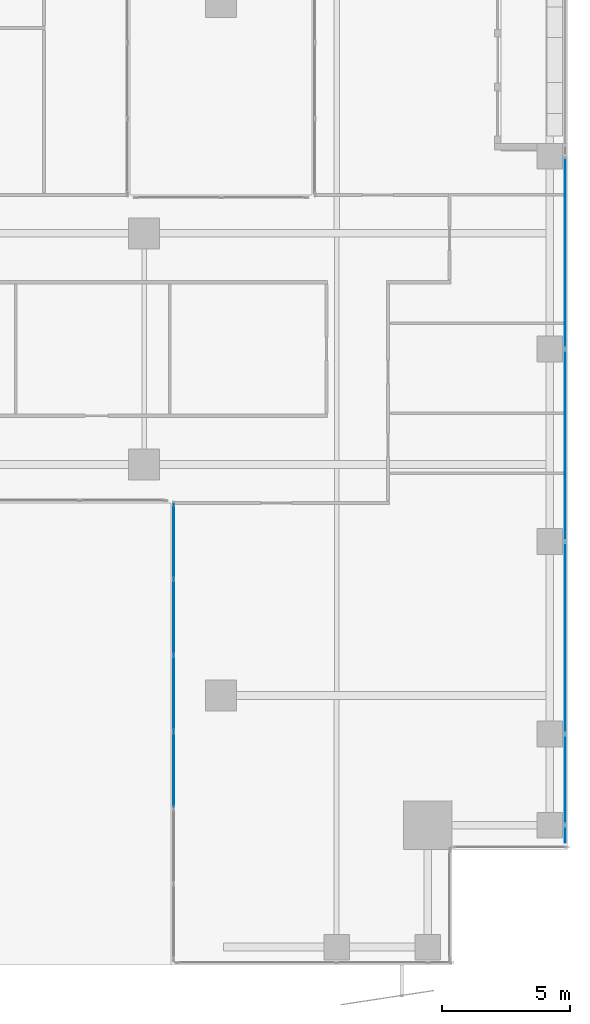
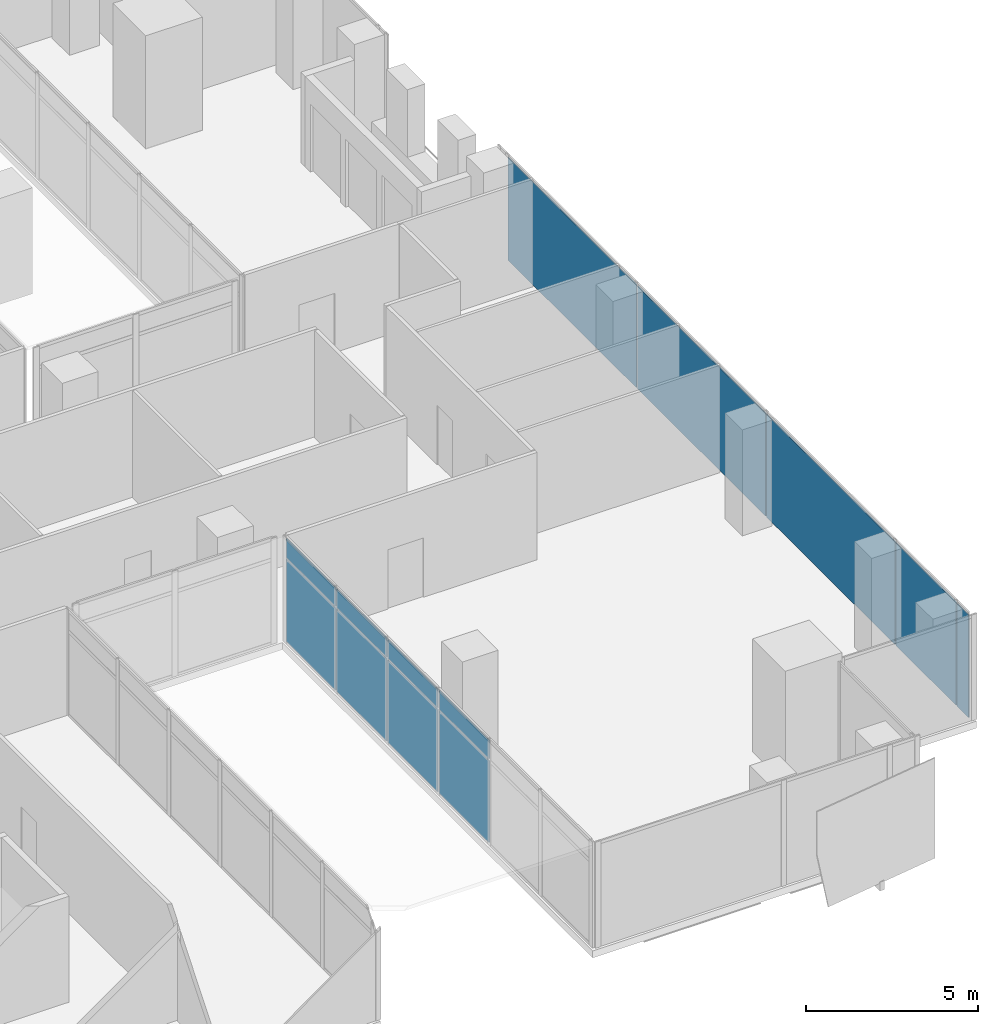
# One storey, part 31 of 40: 13 plates, 2 elements without a shape of their own.
"""IFC4 building model written with IfcOpenShell, lengths in metres."""

from ifc_helpers import new_model, si_unit, direction, frame, origin, origin_2d, place, context, subcontext, project, spatial, rectangle, extrude, source, transform, mapped, material, layer, layer_set, type_object, element, aggregate, save


model = new_model("IFC4")

# Units and contexts
model_context = context("Model", 3, precision=1e-05, world=origin(), true_north=direction((0.0, 1.0)))
body_context = subcontext(model_context, "Body", "Model", "MODEL_VIEW")
ifc_project = project(units=[si_unit("LENGTHUNIT", "METRE"), si_unit("AREAUNIT", "SQUARE_METRE"), si_unit("VOLUMEUNIT", "CUBIC_METRE"), si_unit("PLANEANGLEUNIT", "RADIAN"), si_unit("MASSUNIT", "GRAM", prefix="KILO")], contexts=[model_context])

# Site, building, storey
site_placement = place(None, origin())
site = spatial("IfcSite", under=ifc_project, at=site_placement, CompositionType="ELEMENT")
building_placement = place(site_placement, origin())
building = spatial("IfcBuilding", under=site, at=building_placement, Name="Khomas Fold Tower", CompositionType="ELEMENT")
storey_placement = place(building_placement, frame((0.0, 0.0, 184.699951171875)))
storey = spatial("IfcBuildingStorey", under=building, at=storey_placement, Name="L40", CompositionType="ELEMENT", Elevation=184.699951171875)

# Curtain wall, plates
ifc_material_1 = material(Name="Aluminium framed double glazing", Category="aluminium")
curtain_wall_type_1 = type_object("IfcCurtainWallType", Name="SK-Unitised clear-glass wall, office floors CW2", PredefinedType="NOTDEFINED", material=ifc_material_1)
curtain_wall_1_placement = place(storey_placement, origin())
curtain_wall_1 = element("IfcCurtainWall", 1, at=curtain_wall_1_placement, inside=storey, type_object=curtain_wall_type_1, Name="CW2 run L40 08-0", PredefinedType="NOTDEFINED")
ifc_material_2 = material(Name="Clear double glazed unit")
ifc_layer_1 = layer(ifc_material_2, 0.030029296875)
ifc_layer_set_1 = layer_set([ifc_layer_1], Name="Clear double glazed unit")
plate_type_1 = type_object("IfcPlateType", Name="SK-Unitised clear-glass wall, office floors glass panel CW2-P", PredefinedType="CURTAIN_PANEL", material=ifc_layer_set_1)
shared_shape_1 = source(origin(), body_context, "Body", "SweptSolid", [
    extrude(rectangle(XDim=0.659912109375, YDim=0.030029296875, at=origin_2d()), origin(), (0.0, 0.0, 1.0), 3.639892578125),
])
plate_1_placement = place(storey_placement, frame((50.89990234375, 8.090087890625, 0.0), z_axis=(0.0, 0.0, 1.0), x_axis=(0.0, 1.0, 0.0)))
plate_1 = element("IfcPlate", 2, at=plate_1_placement, type_object=plate_type_1, Name="CW2 glass panel 1", PredefinedType="CURTAIN_PANEL", context=body_context, shape_type="MappedRepresentation", body=[
    mapped(shared_shape_1, transform((0.0, 0.0, 0.0))),
])
shared_shape_2 = source(origin(), body_context, "Body", "SweptSolid", [
    extrude(rectangle(XDim=3.489990234375, YDim=0.030029296875, at=origin_2d()), origin(), (0.0, 0.0, 1.0), 3.639892578125),
])
plate_2_placement = place(storey_placement, frame((50.89990234375, 10.22509765625, 0.0), z_axis=(0.0, 0.0, 1.0), x_axis=(0.0, 1.0, 0.0)))
plate_2 = element("IfcPlate", 3, at=plate_2_placement, type_object=plate_type_1, Name="CW2 glass panel 2", PredefinedType="CURTAIN_PANEL", context=body_context, shape_type="MappedRepresentation", body=[
    mapped(shared_shape_2, transform((0.0, 0.0, 0.0))),
])
shared_shape_3 = source(origin(), body_context, "Body", "SweptSolid", [
    extrude(rectangle(XDim=7.43994140625, YDim=0.030029296875, at=origin_2d()), origin(), (0.0, 0.0, 1.0), 3.639892578125),
])
plate_3_placement = place(storey_placement, frame((50.89990234375, 15.75, 0.0), z_axis=(0.0, 0.0, 1.0), x_axis=(0.0, 1.0, 0.0)))
plate_3 = element("IfcPlate", 4, at=plate_3_placement, type_object=plate_type_1, Name="CW2 glass panel 3", PredefinedType="CURTAIN_PANEL", context=body_context, shape_type="MappedRepresentation", body=[
    mapped(shared_shape_3, transform((0.0, 0.0, 0.0))),
])
plate_4_placement = place(storey_placement, frame((50.89990234375, 23.25, 0.0), z_axis=(0.0, 0.0, 1.0), x_axis=(0.0, 1.0, 0.0)))
plate_4 = element("IfcPlate", 5, at=plate_4_placement, type_object=plate_type_1, Name="CW2 glass panel 4", PredefinedType="CURTAIN_PANEL", context=body_context, shape_type="MappedRepresentation", body=[
    mapped(shared_shape_3, transform((0.0, 0.0, 0.0))),
])
plate_5_placement = place(storey_placement, frame((50.89990234375, 30.75, 0.0), z_axis=(0.0, 0.0, 1.0), x_axis=(0.0, 1.0, 0.0)))
plate_5 = element("IfcPlate", 6, at=plate_5_placement, type_object=plate_type_1, Name="CW2 glass panel 5", PredefinedType="CURTAIN_PANEL", context=body_context, shape_type="MappedRepresentation", body=[
    mapped(shared_shape_3, transform((0.0, 0.0, 0.0))),
])
aggregate(curtain_wall_1, [plate_1, plate_2, plate_3, plate_4, plate_5])

ifc_material_3 = material(Name="Aluminium framed double glazing", Category="aluminium")
curtain_wall_type_2 = type_object("IfcCurtainWallType", Name="Notch glazing GN-CW", PredefinedType="NOTDEFINED", material=ifc_material_3)
curtain_wall_2_placement = place(storey_placement, origin())
curtain_wall_2 = element("IfcCurtainWall", 7, at=curtain_wall_2_placement, inside=storey, type_object=curtain_wall_type_2, Name="Notch glazing run", PredefinedType="NOTDEFINED")
ifc_material_4 = material(Name="Double glazed unit")
ifc_layer_2 = layer(ifc_material_4, 0.031982421875)
ifc_layer_set_2 = layer_set([ifc_layer_2], Name="Double glazed unit")
plate_type_2 = type_object("IfcPlateType", Name="Notch glazing panel GN-CW-P", PredefinedType="CURTAIN_PANEL", material=ifc_layer_set_2)
shared_shape_4 = source(origin(), body_context, "Body", "SweptSolid", [
    extrude(rectangle(XDim=2.876708984375, YDim=0.031982421875, at=origin_2d()), origin(), (0.0, 0.0, 1.0), 2.909912109375),
])
plate_6_placement = place(storey_placement, frame((35.64990234375, 19.501708984375, 0.06005859375), z_axis=(0.0, 0.0, 1.0), x_axis=(0.0, -1.0, 0.0)))
plate_6 = element("IfcPlate", 8, at=plate_6_placement, type_object=plate_type_2, Name="GN-CW panel 1.1", PredefinedType="CURTAIN_PANEL", context=body_context, shape_type="MappedRepresentation", body=[
    mapped(shared_shape_4, transform((0.0, 0.0, 0.0))),
])
shared_shape_5 = source(origin(), body_context, "Body", "SweptSolid", [
    extrude(rectangle(XDim=2.90673828125, YDim=0.031982421875, at=origin_2d()), origin(), (0.0, 0.0, 1.0), 2.909912109375),
])
plate_7_placement = place(storey_placement, frame((35.64990234375, 16.550048828125, 0.06005859375), z_axis=(0.0, 0.0, 1.0), x_axis=(0.0, -1.0, 0.0)))
plate_7 = element("IfcPlate", 9, at=plate_7_placement, type_object=plate_type_2, Name="GN-CW panel 2.1", PredefinedType="CURTAIN_PANEL", context=body_context, shape_type="MappedRepresentation", body=[
    mapped(shared_shape_5, transform((0.0, 0.0, 0.0))),
])
plate_8_placement = place(storey_placement, frame((35.64990234375, 13.583251953125, 0.06005859375), z_axis=(0.0, 0.0, 1.0), x_axis=(0.0, -1.0, 0.0)))
plate_8 = element("IfcPlate", 10, at=plate_8_placement, type_object=plate_type_2, Name="GN-CW panel 3.1", PredefinedType="CURTAIN_PANEL", context=body_context, shape_type="MappedRepresentation", body=[
    mapped(shared_shape_5, transform((0.0, 0.0, 0.0))),
])
plate_9_placement = place(storey_placement, frame((35.64990234375, 10.61669921875, 0.06005859375), z_axis=(0.0, 0.0, 1.0), x_axis=(0.0, -1.0, 0.0)))
plate_9 = element("IfcPlate", 11, at=plate_9_placement, type_object=plate_type_2, Name="GN-CW panel 4.1", PredefinedType="CURTAIN_PANEL", context=body_context, shape_type="MappedRepresentation", body=[
    mapped(shared_shape_5, transform((0.0, 0.0, 0.0))),
])
shared_shape_6 = source(origin(), body_context, "Body", "SweptSolid", [
    extrude(rectangle(XDim=2.876708984375, YDim=0.031982421875, at=origin_2d()), origin(), (0.0, 0.0, 1.0), 0.659912109375),
])
plate_10_placement = place(storey_placement, frame((35.64990234375, 19.501708984375, 3.0302734375), z_axis=(0.0, 0.0, 1.0), x_axis=(0.0, -1.0, 0.0)))
plate_10 = element("IfcPlate", 12, at=plate_10_placement, type_object=plate_type_2, Name="GN-CW panel 1.2", PredefinedType="CURTAIN_PANEL", context=body_context, shape_type="MappedRepresentation", body=[
    mapped(shared_shape_6, transform((0.0, 0.0, 0.0))),
])
shared_shape_7 = source(origin(), body_context, "Body", "SweptSolid", [
    extrude(rectangle(XDim=2.90673828125, YDim=0.031982421875, at=origin_2d()), origin(), (0.0, 0.0, 1.0), 0.659912109375),
])
plate_11_placement = place(storey_placement, frame((35.64990234375, 16.550048828125, 3.0302734375), z_axis=(0.0, 0.0, 1.0), x_axis=(0.0, -1.0, 0.0)))
plate_11 = element("IfcPlate", 13, at=plate_11_placement, type_object=plate_type_2, Name="GN-CW panel 2.2", PredefinedType="CURTAIN_PANEL", context=body_context, shape_type="MappedRepresentation", body=[
    mapped(shared_shape_7, transform((0.0, 0.0, 0.0))),
])
plate_12_placement = place(storey_placement, frame((35.64990234375, 13.583251953125, 3.0302734375), z_axis=(0.0, 0.0, 1.0), x_axis=(0.0, -1.0, 0.0)))
plate_12 = element("IfcPlate", 14, at=plate_12_placement, type_object=plate_type_2, Name="GN-CW panel 3.2", PredefinedType="CURTAIN_PANEL", context=body_context, shape_type="MappedRepresentation", body=[
    mapped(shared_shape_7, transform((0.0, 0.0, 0.0))),
])
plate_13_placement = place(storey_placement, frame((35.64990234375, 10.61669921875, 3.0302734375), z_axis=(0.0, 0.0, 1.0), x_axis=(0.0, -1.0, 0.0)))
plate_13 = element("IfcPlate", 15, at=plate_13_placement, type_object=plate_type_2, Name="GN-CW panel 4.2", PredefinedType="CURTAIN_PANEL", context=body_context, shape_type="MappedRepresentation", body=[
    mapped(shared_shape_7, transform((0.0, 0.0, 0.0))),
])
aggregate(curtain_wall_2, [plate_6, plate_10, plate_7, plate_11, plate_8, plate_12, plate_9, plate_13])

save(model, "model.ifc")
